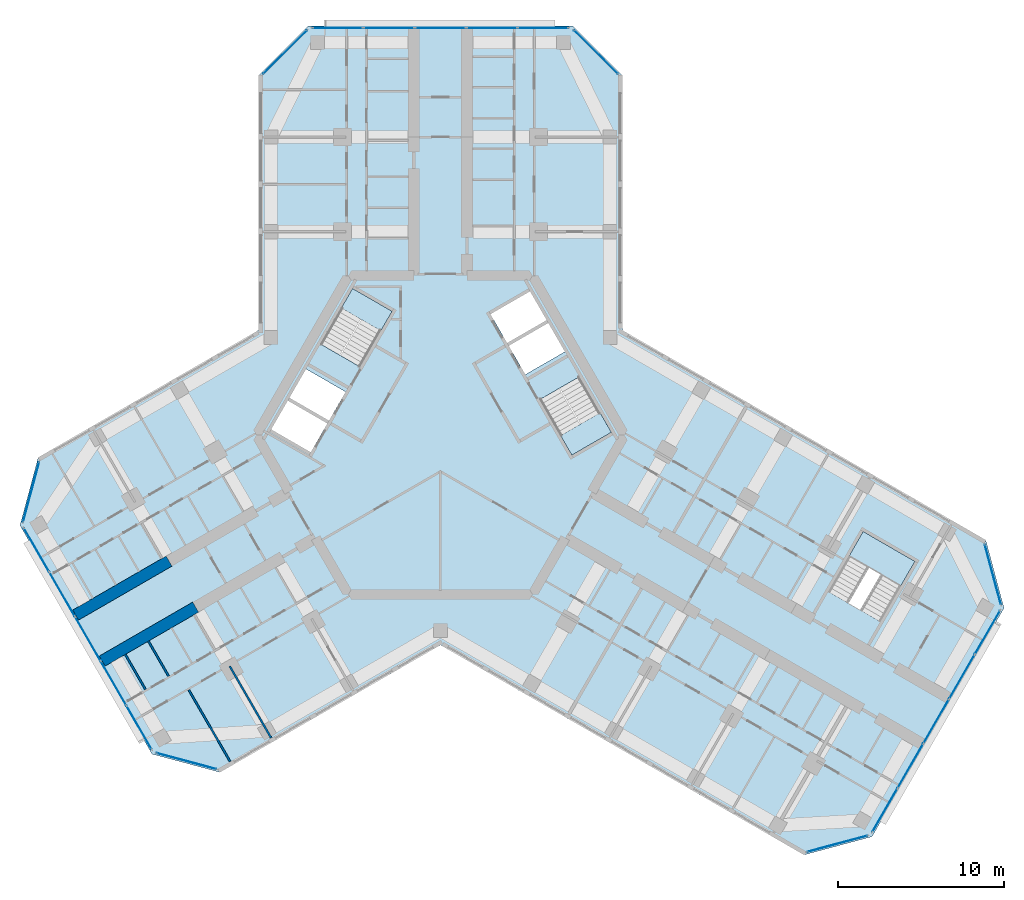
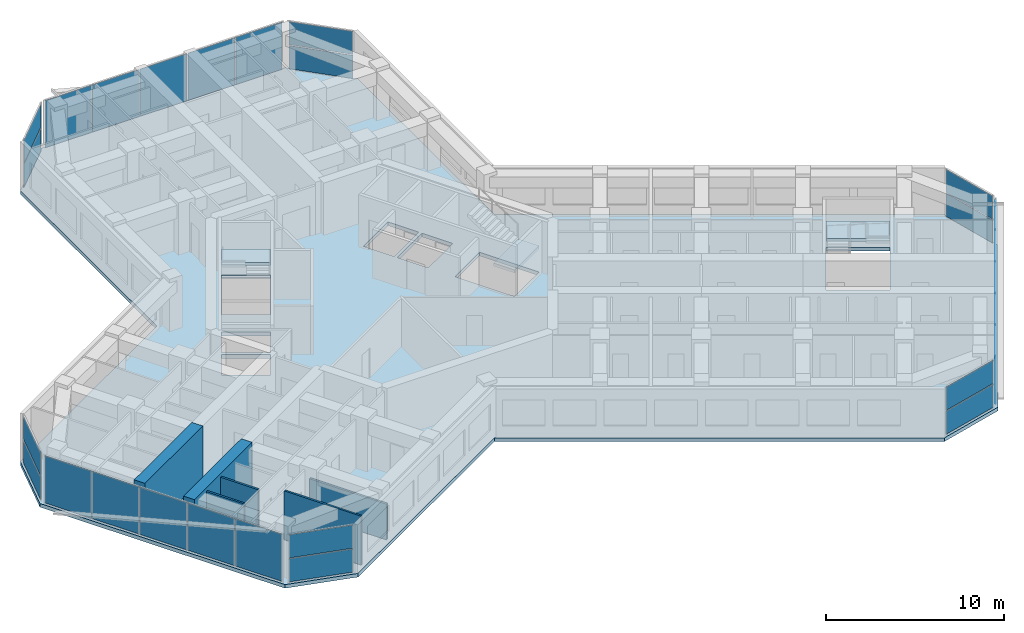
# One storey, part 7 of 16: 27 plates, 6 walls, 4 slabs, 12 elements without a shape of their own.
"""IFC4 building model written with IfcOpenShell, lengths in metres."""

from ifc_helpers import new_model, si_unit, direction, frame, frame_2d, origin, origin_2d, place, context, subcontext, project, spatial, polyline, rectangle, outline, extrude, material, layer, layer_set, type_object, element, aggregate, save


model = new_model("IFC4")

# Units and contexts
model_context = context("Model", 3, precision=1e-05, world=origin(), true_north=direction((0.0, 1.0)))
body_context = subcontext(model_context, "Body", "Model", "MODEL_VIEW")
ifc_project = project(units=[si_unit("LENGTHUNIT", "METRE"), si_unit("AREAUNIT", "SQUARE_METRE"), si_unit("VOLUMEUNIT", "CUBIC_METRE"), si_unit("PLANEANGLEUNIT", "RADIAN"), si_unit("MASSUNIT", "GRAM", prefix="KILO")], contexts=[model_context])

# Site, building, storey
site_placement = place(None, origin())
site = spatial("IfcSite", under=ifc_project, at=site_placement, CompositionType="ELEMENT")
building_placement = place(site_placement, origin())
building = spatial("IfcBuilding", under=site, at=building_placement, Name="Kosmar Iwan School Tower", CompositionType="ELEMENT")
storey_placement = place(building_placement, frame((0.0, 0.0, 246.0)))
storey = spatial("IfcBuildingStorey", under=building, at=storey_placement, Name="L62", CompositionType="ELEMENT", Elevation=246.0)

# Curtain wall, plates
ifc_material_1 = material(Name="Dark glass in black aluminium frame", Category="aluminium")
curtain_wall_type_1 = type_object("IfcCurtainWallType", Name="Chamfer curtain wall dark glass", PredefinedType="USERDEFINED", material=ifc_material_1)
curtain_wall_1_placement = place(storey_placement, origin())
curtain_wall_1 = element("IfcCurtainWall", 1, at=curtain_wall_1_placement, inside=storey, type_object=curtain_wall_type_1, Name="Curtain wall L62-F00", ObjectType="FACETED CURTAIN WALL", PredefinedType="USERDEFINED")
ifc_material_2 = material(Name="Dark glass", Category="glass")
ifc_layer_1 = layer(ifc_material_2, 0.028076171875)
ifc_layer_set_1 = layer_set([ifc_layer_1], Name="Dark glass panel 28")
plate_type = type_object("IfcPlateType", Name="Dark glass panel 28", PredefinedType="CURTAIN_PANEL", material=ifc_layer_set_1)
plate_1_placement = place(storey_placement, frame((23.908203125, -24.61328125, 0.06005859375), z_axis=(0.0, 0.0, 1.0), x_axis=(0.965925875495, 0.258818861462, 0.0)))
plate_1 = element("IfcPlate", 2, at=plate_1_placement, type_object=plate_type, Name="CW2 panel 1.1", PredefinedType="CURTAIN_PANEL", context=body_context, shape_type="SweptSolid", body=[
    extrude(rectangle(XDim=3.718994140625, YDim=0.028076171875, at=origin_2d()), origin(), (0.0, 0.0, 1.0), 1.5849609375),
])
plate_2_placement = place(storey_placement, frame((23.908203125, -24.61328125, 1.705078125), z_axis=(0.0, 0.0, 1.0), x_axis=(0.965925875495, 0.258818861462, 0.0)))
plate_2 = element("IfcPlate", 3, at=plate_2_placement, type_object=plate_type, Name="CW2 panel 1.2", PredefinedType="CURTAIN_PANEL", context=body_context, shape_type="SweptSolid", body=[
    extrude(rectangle(XDim=3.718994140625, YDim=0.028076171875, at=origin_2d()), origin(), (0.0, 0.0, 1.0), 1.5849609375),
])
aggregate(curtain_wall_1, [plate_1, plate_2])

ifc_material_3 = material(Name="Dark glass in black aluminium frame", Category="aluminium")
curtain_wall_type_2 = type_object("IfcCurtainWallType", Name="Tower curtain wall dark glass", PredefinedType="USERDEFINED", material=ifc_material_3)
curtain_wall_2_placement = place(storey_placement, origin())
curtain_wall_2 = element("IfcCurtainWall", 4, at=curtain_wall_2_placement, inside=storey, type_object=curtain_wall_type_2, Name="Curtain wall L62-F01", ObjectType="UNITISED CURTAIN WALL", PredefinedType="USERDEFINED")
plate_3_placement = place(storey_placement, frame((26.764404296875, -22.592529296875, 0.06005859375), z_axis=(0.0, 0.0, 1.0), x_axis=(0.499999997325, 0.866025405329, 0.0)))
plate_3 = element("IfcPlate", 5, at=plate_3_placement, type_object=plate_type, Name="CW1 panel 1.1", PredefinedType="CURTAIN_PANEL", context=body_context, shape_type="SweptSolid", body=[
    extrude(rectangle(XDim=3.00927734375, YDim=0.028076171875, at=origin_2d()), origin(), (0.0, 0.0, 1.0), 3.22998046875),
])
plate_4_placement = place(storey_placement, frame((28.306640625, -19.921630859375, 0.06005859375), z_axis=(0.0, 0.0, 1.0), x_axis=(0.499999997325, 0.866025405329, 0.0)))
plate_4 = element("IfcPlate", 6, at=plate_4_placement, type_object=plate_type, Name="CW1 panel 2.1", PredefinedType="CURTAIN_PANEL", context=body_context, shape_type="SweptSolid", body=[
    extrude(rectangle(XDim=3.039306640625, YDim=0.028076171875, at=origin_2d()), origin(), (0.0, 0.0, 1.0), 3.22998046875),
])
plate_5_placement = place(storey_placement, frame((29.856201171875, -17.237548828125, 0.06005859375), z_axis=(0.0, 0.0, 1.0), x_axis=(0.499999997325, 0.866025405329, 0.0)))
plate_5 = element("IfcPlate", 7, at=plate_5_placement, type_object=plate_type, Name="CW1 panel 3.1", PredefinedType="CURTAIN_PANEL", context=body_context, shape_type="SweptSolid", body=[
    extrude(rectangle(XDim=3.039306640625, YDim=0.028076171875, at=origin_2d()), origin(), (0.0, 0.0, 1.0), 3.22998046875),
])
plate_6_placement = place(storey_placement, frame((31.40576171875, -14.553466796875, 0.06005859375), z_axis=(0.0, 0.0, 1.0), x_axis=(0.499999997325, 0.866025405329, 0.0)))
plate_6 = element("IfcPlate", 8, at=plate_6_placement, type_object=plate_type, Name="CW1 panel 4.1", PredefinedType="CURTAIN_PANEL", context=body_context, shape_type="SweptSolid", body=[
    extrude(rectangle(XDim=3.039306640625, YDim=0.028076171875, at=origin_2d()), origin(), (0.0, 0.0, 1.0), 3.22998046875),
])
plate_7_placement = place(storey_placement, frame((32.947998046875, -11.88232421875, 0.06005859375), z_axis=(0.0, 0.0, 1.0), x_axis=(0.499999997325, 0.866025405329, 0.0)))
plate_7 = element("IfcPlate", 9, at=plate_7_placement, type_object=plate_type, Name="CW1 panel 5.1", PredefinedType="CURTAIN_PANEL", context=body_context, shape_type="SweptSolid", body=[
    extrude(rectangle(XDim=3.00927734375, YDim=0.028076171875, at=origin_2d()), origin(), (0.0, 0.0, 1.0), 3.22998046875),
])
aggregate(curtain_wall_2, [plate_3, plate_4, plate_5, plate_6, plate_7])

curtain_wall_3_placement = place(storey_placement, origin())
curtain_wall_3 = element("IfcCurtainWall", 10, at=curtain_wall_3_placement, inside=storey, type_object=curtain_wall_type_1, Name="Curtain wall L62-F02", ObjectType="FACETED CURTAIN WALL", PredefinedType="USERDEFINED")
plate_8_placement = place(storey_placement, frame((33.269775390625, -8.3984375, 0.06005859375), z_axis=(0.0, 0.0, 1.0), x_axis=(-0.258818861462, 0.965925875495, 0.0)))
plate_8 = element("IfcPlate", 11, at=plate_8_placement, type_object=plate_type, Name="CW2 panel 1.1", PredefinedType="CURTAIN_PANEL", context=body_context, shape_type="SweptSolid", body=[
    extrude(rectangle(XDim=3.718994140625, YDim=0.028076171875, at=origin_2d()), origin(), (0.0, 0.0, 1.0), 1.5849609375),
])
plate_9_placement = place(storey_placement, frame((33.269775390625, -8.3984375, 1.705078125), z_axis=(0.0, 0.0, 1.0), x_axis=(-0.258818861462, 0.965925875495, 0.0)))
plate_9 = element("IfcPlate", 12, at=plate_9_placement, type_object=plate_type, Name="CW2 panel 1.2", PredefinedType="CURTAIN_PANEL", context=body_context, shape_type="SweptSolid", body=[
    extrude(rectangle(XDim=3.718994140625, YDim=0.028076171875, at=origin_2d()), origin(), (0.0, 0.0, 1.0), 1.5849609375),
])
aggregate(curtain_wall_3, [plate_8, plate_9])

curtain_wall_4_placement = place(storey_placement, origin())
curtain_wall_4 = element("IfcCurtainWall", 13, at=curtain_wall_4_placement, inside=storey, type_object=curtain_wall_type_1, Name="Curtain wall L62-F05", ObjectType="FACETED CURTAIN WALL", PredefinedType="USERDEFINED")
plate_10_placement = place(storey_placement, frame((9.361572265625, 23.0615234375, 0.06005859375), z_axis=(0.0, 0.0, 1.0), x_axis=(-0.707106781187, 0.707106781187, 0.0)))
plate_10 = element("IfcPlate", 14, at=plate_10_placement, type_object=plate_type, Name="CW2 panel 1.1", PredefinedType="CURTAIN_PANEL", context=body_context, shape_type="SweptSolid", body=[
    extrude(rectangle(XDim=3.718994140625, YDim=0.028076171875, at=origin_2d()), origin(), (0.0, 0.0, 1.0), 1.5849609375),
])
plate_11_placement = place(storey_placement, frame((9.361572265625, 23.0615234375, 1.705078125), z_axis=(0.0, 0.0, 1.0), x_axis=(-0.707106781187, 0.707106781187, 0.0)))
plate_11 = element("IfcPlate", 15, at=plate_11_placement, type_object=plate_type, Name="CW2 panel 1.2", PredefinedType="CURTAIN_PANEL", context=body_context, shape_type="SweptSolid", body=[
    extrude(rectangle(XDim=3.718994140625, YDim=0.028076171875, at=origin_2d()), origin(), (0.0, 0.0, 1.0), 1.5849609375),
])
aggregate(curtain_wall_4, [plate_10, plate_11])

curtain_wall_5_placement = place(storey_placement, origin())
curtain_wall_5 = element("IfcCurtainWall", 16, at=curtain_wall_5_placement, inside=storey, type_object=curtain_wall_type_2, Name="Curtain wall L62-F06", ObjectType="UNITISED CURTAIN WALL", PredefinedType="USERDEFINED")
plate_12_placement = place(storey_placement, frame((6.18359375, 24.52490234375, 0.06005859375), z_axis=(0.0, 0.0, 1.0), x_axis=(-1.0, 0.0, 0.0)))
plate_12 = element("IfcPlate", 17, at=plate_12_placement, type_object=plate_type, Name="CW1 panel 1.1", PredefinedType="CURTAIN_PANEL", context=body_context, shape_type="SweptSolid", body=[
    extrude(rectangle(XDim=3.00927734375, YDim=0.028076171875, at=origin_2d()), origin(), (0.0, 0.0, 1.0), 3.22998046875),
])
plate_13_placement = place(storey_placement, frame((3.099365234375, 24.52490234375, 0.06005859375), z_axis=(0.0, 0.0, 1.0), x_axis=(-1.0, 0.0, 0.0)))
plate_13 = element("IfcPlate", 18, at=plate_13_placement, type_object=plate_type, Name="CW1 panel 2.1", PredefinedType="CURTAIN_PANEL", context=body_context, shape_type="SweptSolid", body=[
    extrude(rectangle(XDim=3.039306640625, YDim=0.028076171875, at=origin_2d()), origin(), (0.0, 0.0, 1.0), 3.22998046875),
])
plate_14_placement = place(storey_placement, frame((0.0, 24.52490234375, 0.06005859375), z_axis=(0.0, 0.0, 1.0), x_axis=(-1.0, 0.0, 0.0)))
plate_14 = element("IfcPlate", 19, at=plate_14_placement, type_object=plate_type, Name="CW1 panel 3.1", PredefinedType="CURTAIN_PANEL", context=body_context, shape_type="SweptSolid", body=[
    extrude(rectangle(XDim=3.039306640625, YDim=0.028076171875, at=origin_2d()), origin(), (0.0, 0.0, 1.0), 3.22998046875),
])
plate_15_placement = place(storey_placement, frame((-3.099365234375, 24.52490234375, 0.06005859375), z_axis=(0.0, 0.0, 1.0), x_axis=(-1.0, 0.0, 0.0)))
plate_15 = element("IfcPlate", 20, at=plate_15_placement, type_object=plate_type, Name="CW1 panel 4.1", PredefinedType="CURTAIN_PANEL", context=body_context, shape_type="SweptSolid", body=[
    extrude(rectangle(XDim=3.039306640625, YDim=0.028076171875, at=origin_2d()), origin(), (0.0, 0.0, 1.0), 3.22998046875),
])
plate_16_placement = place(storey_placement, frame((-6.18359375, 24.52490234375, 0.06005859375), z_axis=(0.0, 0.0, 1.0), x_axis=(-1.0, 0.0, 0.0)))
plate_16 = element("IfcPlate", 21, at=plate_16_placement, type_object=plate_type, Name="CW1 panel 5.1", PredefinedType="CURTAIN_PANEL", context=body_context, shape_type="SweptSolid", body=[
    extrude(rectangle(XDim=3.00927734375, YDim=0.028076171875, at=origin_2d()), origin(), (0.0, 0.0, 1.0), 3.22998046875),
])
aggregate(curtain_wall_5, [plate_12, plate_13, plate_14, plate_15, plate_16])

curtain_wall_6_placement = place(storey_placement, origin())
curtain_wall_6 = element("IfcCurtainWall", 22, at=curtain_wall_6_placement, inside=storey, type_object=curtain_wall_type_1, Name="Curtain wall L62-F07", ObjectType="FACETED CURTAIN WALL", PredefinedType="USERDEFINED")
plate_17_placement = place(storey_placement, frame((-9.361572265625, 23.0615234375, 0.06005859375), z_axis=(0.0, 0.0, 1.0), x_axis=(-0.707106781187, -0.707106781187, 0.0)))
plate_17 = element("IfcPlate", 23, at=plate_17_placement, type_object=plate_type, Name="CW2 panel 1.1", PredefinedType="CURTAIN_PANEL", context=body_context, shape_type="SweptSolid", body=[
    extrude(rectangle(XDim=3.718994140625, YDim=0.028076171875, at=origin_2d()), origin(), (0.0, 0.0, 1.0), 1.5849609375),
])
plate_18_placement = place(storey_placement, frame((-9.361572265625, 23.0615234375, 1.705078125), z_axis=(0.0, 0.0, 1.0), x_axis=(-0.707106781187, -0.707106781187, 0.0)))
plate_18 = element("IfcPlate", 24, at=plate_18_placement, type_object=plate_type, Name="CW2 panel 1.2", PredefinedType="CURTAIN_PANEL", context=body_context, shape_type="SweptSolid", body=[
    extrude(rectangle(XDim=3.718994140625, YDim=0.028076171875, at=origin_2d()), origin(), (0.0, 0.0, 1.0), 1.5849609375),
])
aggregate(curtain_wall_6, [plate_17, plate_18])

curtain_wall_7_placement = place(storey_placement, origin())
curtain_wall_7 = element("IfcCurtainWall", 25, at=curtain_wall_7_placement, inside=storey, type_object=curtain_wall_type_1, Name="Curtain wall L62-F10", ObjectType="FACETED CURTAIN WALL", PredefinedType="USERDEFINED")
plate_19_placement = place(storey_placement, frame((-24.65283203125, -3.42333984375, 0.06005859375), z_axis=(0.0, 0.0, 1.0), x_axis=(-0.258818861462, -0.965925875495, 0.0)))
plate_19 = element("IfcPlate", 26, at=plate_19_placement, type_object=plate_type, Name="CW2 panel 1.1", PredefinedType="CURTAIN_PANEL", context=body_context, shape_type="SweptSolid", body=[
    extrude(rectangle(XDim=3.718994140625, YDim=0.028076171875, at=origin_2d()), origin(), (0.0, 0.0, 1.0), 1.5849609375),
])
plate_20_placement = place(storey_placement, frame((-24.65283203125, -3.42333984375, 1.705078125), z_axis=(0.0, 0.0, 1.0), x_axis=(-0.258818861462, -0.965925875495, 0.0)))
plate_20 = element("IfcPlate", 27, at=plate_20_placement, type_object=plate_type, Name="CW2 panel 1.2", PredefinedType="CURTAIN_PANEL", context=body_context, shape_type="SweptSolid", body=[
    extrude(rectangle(XDim=3.718994140625, YDim=0.028076171875, at=origin_2d()), origin(), (0.0, 0.0, 1.0), 1.5849609375),
])
aggregate(curtain_wall_7, [plate_19, plate_20])

curtain_wall_8_placement = place(storey_placement, origin())
curtain_wall_8 = element("IfcCurtainWall", 28, at=curtain_wall_8_placement, inside=storey, type_object=curtain_wall_type_2, Name="Curtain wall L62-F11", ObjectType="UNITISED CURTAIN WALL", PredefinedType="USERDEFINED")
plate_21_placement = place(storey_placement, frame((-24.3310546875, -6.907470703125, 0.06005859375), z_axis=(0.0, 0.0, 1.0), x_axis=(0.499999997325, -0.866025405329, 0.0)))
plate_21 = element("IfcPlate", 29, at=plate_21_placement, type_object=plate_type, Name="CW1 panel 1.1", PredefinedType="CURTAIN_PANEL", context=body_context, shape_type="SweptSolid", body=[
    extrude(rectangle(XDim=3.00927734375, YDim=0.028076171875, at=origin_2d()), origin(), (0.0, 0.0, 1.0), 3.22998046875),
])
plate_22_placement = place(storey_placement, frame((-22.788818359375, -9.578369140625, 0.06005859375), z_axis=(0.0, 0.0, 1.0), x_axis=(0.499999997325, -0.866025405329, 0.0)))
plate_22 = element("IfcPlate", 30, at=plate_22_placement, type_object=plate_type, Name="CW1 panel 2.1", PredefinedType="CURTAIN_PANEL", context=body_context, shape_type="SweptSolid", body=[
    extrude(rectangle(XDim=3.039306640625, YDim=0.028076171875, at=origin_2d()), origin(), (0.0, 0.0, 1.0), 3.22998046875),
])
plate_23_placement = place(storey_placement, frame((-21.2392578125, -12.262451171875, 0.06005859375), z_axis=(0.0, 0.0, 1.0), x_axis=(0.499999997325, -0.866025405329, 0.0)))
plate_23 = element("IfcPlate", 31, at=plate_23_placement, type_object=plate_type, Name="CW1 panel 3.1", PredefinedType="CURTAIN_PANEL", context=body_context, shape_type="SweptSolid", body=[
    extrude(rectangle(XDim=3.039306640625, YDim=0.028076171875, at=origin_2d()), origin(), (0.0, 0.0, 1.0), 3.22998046875),
])
plate_24_placement = place(storey_placement, frame((-19.689697265625, -14.946533203125, 0.06005859375), z_axis=(0.0, 0.0, 1.0), x_axis=(0.499999997325, -0.866025405329, 0.0)))
plate_24 = element("IfcPlate", 32, at=plate_24_placement, type_object=plate_type, Name="CW1 panel 4.1", PredefinedType="CURTAIN_PANEL", context=body_context, shape_type="SweptSolid", body=[
    extrude(rectangle(XDim=3.039306640625, YDim=0.028076171875, at=origin_2d()), origin(), (0.0, 0.0, 1.0), 3.22998046875),
])
plate_25_placement = place(storey_placement, frame((-18.1474609375, -17.61767578125, 0.06005859375), z_axis=(0.0, 0.0, 1.0), x_axis=(0.499999997325, -0.866025405329, 0.0)))
plate_25 = element("IfcPlate", 33, at=plate_25_placement, type_object=plate_type, Name="CW1 panel 5.1", PredefinedType="CURTAIN_PANEL", context=body_context, shape_type="SweptSolid", body=[
    extrude(rectangle(XDim=3.00927734375, YDim=0.028076171875, at=origin_2d()), origin(), (0.0, 0.0, 1.0), 3.22998046875),
])
aggregate(curtain_wall_8, [plate_21, plate_22, plate_23, plate_24, plate_25])

curtain_wall_9_placement = place(storey_placement, origin())
curtain_wall_9 = element("IfcCurtainWall", 34, at=curtain_wall_9_placement, inside=storey, type_object=curtain_wall_type_1, Name="Curtain wall L62-F12", ObjectType="FACETED CURTAIN WALL", PredefinedType="USERDEFINED")
plate_26_placement = place(storey_placement, frame((-15.291015625, -19.63818359375, 0.06005859375), z_axis=(0.0, 0.0, 1.0), x_axis=(0.965925875495, -0.258818861462, 0.0)))
plate_26 = element("IfcPlate", 35, at=plate_26_placement, type_object=plate_type, Name="CW2 panel 1.1", PredefinedType="CURTAIN_PANEL", context=body_context, shape_type="SweptSolid", body=[
    extrude(rectangle(XDim=3.718994140625, YDim=0.028076171875, at=origin_2d()), origin(), (0.0, 0.0, 1.0), 1.5849609375),
])
plate_27_placement = place(storey_placement, frame((-15.291015625, -19.63818359375, 1.705078125), z_axis=(0.0, 0.0, 1.0), x_axis=(0.965925875495, -0.258818861462, 0.0)))
plate_27 = element("IfcPlate", 36, at=plate_27_placement, type_object=plate_type, Name="CW2 panel 1.2", PredefinedType="CURTAIN_PANEL", context=body_context, shape_type="SweptSolid", body=[
    extrude(rectangle(XDim=3.718994140625, YDim=0.028076171875, at=origin_2d()), origin(), (0.0, 0.0, 1.0), 1.5849609375),
])
aggregate(curtain_wall_9, [plate_26, plate_27])

# Stair, slab
ifc_material_4 = material(Name="Concrete C35/45", Category="concrete")
stair_type_1 = type_object("IfcStairType", Name="Escape stair 3600", PredefinedType="HALF_TURN_STAIR", material=ifc_material_4)
stair_1_placement = place(storey_placement, origin())
stair_1 = element("IfcStair", 37, at=stair_1_placement, inside=storey, type_object=stair_type_1, Name="Stair WS3 L62", PredefinedType="HALF_TURN_STAIR")
ifc_material_5 = material(Name="Concrete C35/45", Category="concrete")
ifc_layer_2 = layer(ifc_material_5, 0.199951171875)
ifc_layer_set_2 = layer_set([ifc_layer_2], Name="Escape stair landing 200")
slab_type_1 = type_object("IfcSlabType", Name="Escape stair landing 200", PredefinedType="LANDING", material=ifc_layer_set_2)
slab_1_placement = place(storey_placement, frame((0.0, 0.0, 1.60009765625)))
slab_1 = element("IfcSlab", 38, at=slab_1_placement, type_object=slab_type_1, Name="WS3 landing 1", PredefinedType="LANDING", context=body_context, shape_type="SweptSolid", body=[
    extrude(outline(polyline([(24.607421875, -7.27880859375), (27.72509765625, -9.078857421875), (28.574951171875, -7.606689453125), (25.457275390625, -5.806640625), (24.607421875, -7.27880859375)])), origin(), (0.0, 0.0, 1.0), 0.199951171875),
])
aggregate(stair_1, [slab_1])

# Slab
ifc_material_6 = material(Name="Concrete C35/45", Category="concrete")
ifc_layer_3 = layer(ifc_material_6, 0.25)
ifc_layer_set_3 = layer_set([ifc_layer_3], Name="Floor slab 250")
slab_type_2 = type_object("IfcSlabType", Name="Floor slab 250", PredefinedType="FLOOR", material=ifc_layer_set_3)
slab_2_placement = place(storey_placement, frame((0.0, 0.0, -0.25)))
element("IfcSlab", 39, at=slab_2_placement, inside=storey, type_object=slab_type_2, Name="L62 floor slab", PredefinedType="FLOOR", context=body_context, shape_type="SweptSolid", body=[
    extrude(outline(polyline([(21.891357421875, -25.282958984375), (25.989501953125, -24.184814453125), (33.939453125, -10.4150390625), (32.84130859375, -6.317138671875), (10.949951171875, 6.322021484375), (10.949951171875, 21.64990234375), (7.949951171875, 24.64990234375), (-7.949951171875, 24.64990234375), (-10.949951171875, 21.64990234375), (-10.949951171875, 6.322021484375), (-24.224365234375, -1.342041015625), (-25.322509765625, -5.440185546875), (-17.37255859375, -19.2099609375), (-13.2744140625, -20.307861328125), (0.0, -12.64404296875), (21.891357421875, -25.282958984375)]), holes=[polyline([(7.91259765625, -1.205078125), (10.294189453125, 0.169921875), (8.3642578125, 3.5126953125), (5.982666015625, 2.1376953125), (7.91259765625, -1.205078125)]), polyline([(-2.91259765625, 7.455078125), (-5.294189453125, 8.830078125), (-7.22412109375, 5.4873046875), (-4.8427734375, 4.1123046875), (-2.91259765625, 7.455078125)]), polyline([(-5.712646484375, 2.60546875), (-8.09423828125, 3.98046875), (-9.09423828125, 2.248291015625), (-6.712646484375, 0.873291015625), (-5.712646484375, 2.60546875)]), polyline([(-6.812744140625, 0.7001953125), (-9.1943359375, 2.0751953125), (-10.1943359375, 0.343017578125), (-7.812744140625, -1.031982421875), (-6.812744140625, 0.7001953125)]), polyline([(5.112548828125, 3.64453125), (7.494140625, 5.01953125), (6.494140625, 6.751708984375), (4.112548828125, 5.376708984375), (5.112548828125, 3.64453125)]), polyline([(4.0126953125, 5.5498046875), (6.394287109375, 6.9248046875), (5.394287109375, 8.656982421875), (3.0126953125, 7.281982421875), (4.0126953125, 5.5498046875)]), polyline([(23.367431640625, -9.426513671875), (26.485107421875, -11.2265625), (28.574951171875, -7.606689453125), (25.457275390625, -5.806640625), (23.367431640625, -9.426513671875)])]), origin(), (0.0, 0.0, 1.0), 0.25),
])

# Stair, slab
ifc_material_7 = material(Name="Concrete C35/45", Category="concrete")
stair_type_2 = type_object("IfcStairType", Name="Core stair 2750", PredefinedType="HALF_TURN_STAIR", material=ifc_material_7)
stair_2_placement = place(storey_placement, origin())
stair_2 = element("IfcStair", 40, at=stair_2_placement, inside=storey, type_object=stair_type_2, Name="Stair ST2 L62", PredefinedType="HALF_TURN_STAIR")
ifc_material_8 = material(Name="Concrete C35/45", Category="concrete")
ifc_layer_4 = layer(ifc_material_8, 0.199951171875)
ifc_layer_set_4 = layer_set([ifc_layer_4], Name="Stair landing 200")
slab_type_3 = type_object("IfcSlabType", Name="Stair landing 200", PredefinedType="LANDING", material=ifc_layer_set_4)
slab_3_placement = place(storey_placement, frame((0.0, 0.0, 1.60009765625)))
slab_3 = element("IfcSlab", 41, at=slab_3_placement, type_object=slab_type_3, Name="ST2 landing 1", PredefinedType="LANDING", context=body_context, shape_type="SweptSolid", body=[
    extrude(outline(polyline([(-2.91259765625, 7.455078125), (-5.294189453125, 8.830078125), (-5.97412109375, 7.65234375), (-3.5927734375, 6.27734375), (-2.91259765625, 7.455078125)])), origin(), (0.0, 0.0, 1.0), 0.199951171875),
])
aggregate(stair_2, [slab_3])

stair_3_placement = place(storey_placement, origin())
stair_3 = element("IfcStair", 42, at=stair_3_placement, inside=storey, type_object=stair_type_2, Name="Stair ST1 L62", PredefinedType="HALF_TURN_STAIR")
slab_4_placement = place(storey_placement, frame((0.0, 0.0, 1.60009765625)))
slab_4 = element("IfcSlab", 43, at=slab_4_placement, type_object=slab_type_3, Name="ST1 landing 1", PredefinedType="LANDING", context=body_context, shape_type="SweptSolid", body=[
    extrude(outline(polyline([(7.91259765625, -1.205078125), (10.294189453125, 0.169921875), (9.6142578125, 1.34765625), (7.232666015625, -0.02734375), (7.91259765625, -1.205078125)])), origin(), (0.0, 0.0, 1.0), 0.199951171875),
])
aggregate(stair_3, [slab_4])

# Walls
ifc_material_9 = material(Name="Concrete C50/60", Category="concrete")
ifc_layer_5 = layer(ifc_material_9, 0.699951171875)
ifc_layer_set_5 = layer_set([ifc_layer_5], Name="Corridor buttress wall 700")
wall_type_1 = type_object("IfcWallType", Name="Corridor buttress wall 700", PredefinedType="SHEAR", material=ifc_layer_set_5)
wall_1_placement = place(storey_placement, frame((-14.7451171875, -10.360595703125, 0.0), z_axis=(0.0, 0.0, 1.0), x_axis=(-0.866027848477, -0.499995765644, 0.0)))
element("IfcWall", 44, at=wall_1_placement, inside=storey, type_object=wall_type_1, Name="Corridor wall BL bay 2", PredefinedType="SHEAR", context=body_context, shape_type="SweptSolid", body=[
    extrude(rectangle(XDim=6.4951171875, YDim=0.699951171875, at=frame_2d((3.24755859375, 0.0))), origin(), (0.0, 0.0, 1.0), 3.60009765625),
])
wall_2_placement = place(storey_placement, frame((-16.34521484375, -7.58935546875, 0.0), z_axis=(0.0, 0.0, 1.0), x_axis=(-0.866018451174, -0.500012042081, 0.0)))
element("IfcWall", 45, at=wall_2_placement, inside=storey, type_object=wall_type_1, Name="Corridor wall BR bay 2", PredefinedType="SHEAR", context=body_context, shape_type="SweptSolid", body=[
    extrude(rectangle(XDim=6.494873046875, YDim=0.699951171875, at=frame_2d((3.24755859375, 0.0))), origin(), (0.0, 0.0, 1.0), 3.60009765625),
])
ifc_material_10 = material(Name="Gypsum board on steel studs", Category="steel")
ifc_layer_6 = layer(ifc_material_10, 0.1201171875)
ifc_layer_set_6 = layer_set([ifc_layer_6], Name="Dwelling partition 120")
wall_type_2 = type_object("IfcWallType", Name="Dwelling partition 120", PredefinedType="PARTITIONING", material=ifc_layer_set_6)
wall_3_placement = place(storey_placement, frame((-12.690185546875, -13.919921875, 0.0), z_axis=(0.0, 0.0, 1.0), x_axis=(0.500011847778, -0.866018563358, 0.0)))
element("IfcWall", 46, at=wall_3_placement, inside=storey, type_object=wall_type_2, Name="Partition L62-BL1-X2", PredefinedType="PARTITIONING", context=body_context, shape_type="SweptSolid", body=[
    extrude(rectangle(XDim=4.990234375, YDim=0.1201171875, at=frame_2d((2.4951171875, 0.0))), origin(), (0.0, 0.0, 1.0), 2.449951171875),
])
wall_4_placement = place(storey_placement, frame((-15.158447265625, -15.344970703125, 0.0), z_axis=(0.0, 0.0, 1.0), x_axis=(0.500011847778, -0.866018563358, 0.0)))
element("IfcWall", 47, at=wall_4_placement, inside=storey, type_object=wall_type_2, Name="Partition L62-BL1-X3", PredefinedType="PARTITIONING", context=body_context, shape_type="SweptSolid", body=[
    extrude(rectangle(XDim=4.990234375, YDim=0.1201171875, at=frame_2d((2.4951171875, 0.0))), origin(), (0.0, 0.0, 1.0), 3.35009765625),
])
wall_5_placement = place(storey_placement, frame((-17.589599609375, -12.406982421875, 0.0), z_axis=(0.0, 0.0, 1.0), x_axis=(0.499959183527, -0.866048967903, 0.0)))
element("IfcWall", 48, at=wall_5_placement, inside=storey, type_object=wall_type_2, Name="Partition L62-BL1-Y6", PredefinedType="PARTITIONING", context=body_context, shape_type="SweptSolid", body=[
    extrude(rectangle(XDim=2.440185546875, YDim=0.1201171875, at=frame_2d((1.22021484375, 0.0))), origin(), (0.0, 0.0, 1.0), 3.35009765625),
])
wall_6_placement = place(storey_placement, frame((-18.981201171875, -13.21044921875, 0.0), z_axis=(0.0, 0.0, 1.0), x_axis=(0.500077547548, -0.865980627057, 0.0)))
element("IfcWall", 49, at=wall_6_placement, inside=storey, type_object=wall_type_2, Name="Partition L62-BL1-Y7", PredefinedType="PARTITIONING", context=body_context, shape_type="SweptSolid", body=[
    extrude(rectangle(XDim=2.43994140625, YDim=0.1201171875, at=frame_2d((1.219970703125, 0.0))), origin(), (0.0, 0.0, 1.0), 3.35009765625),
])

save(model, "model.ifc")
